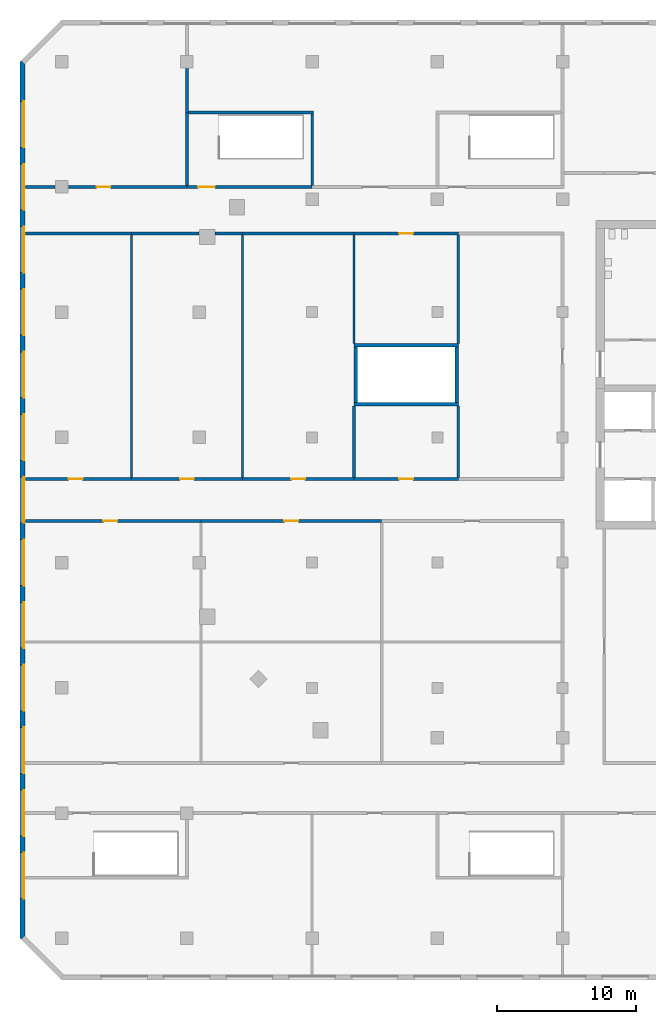
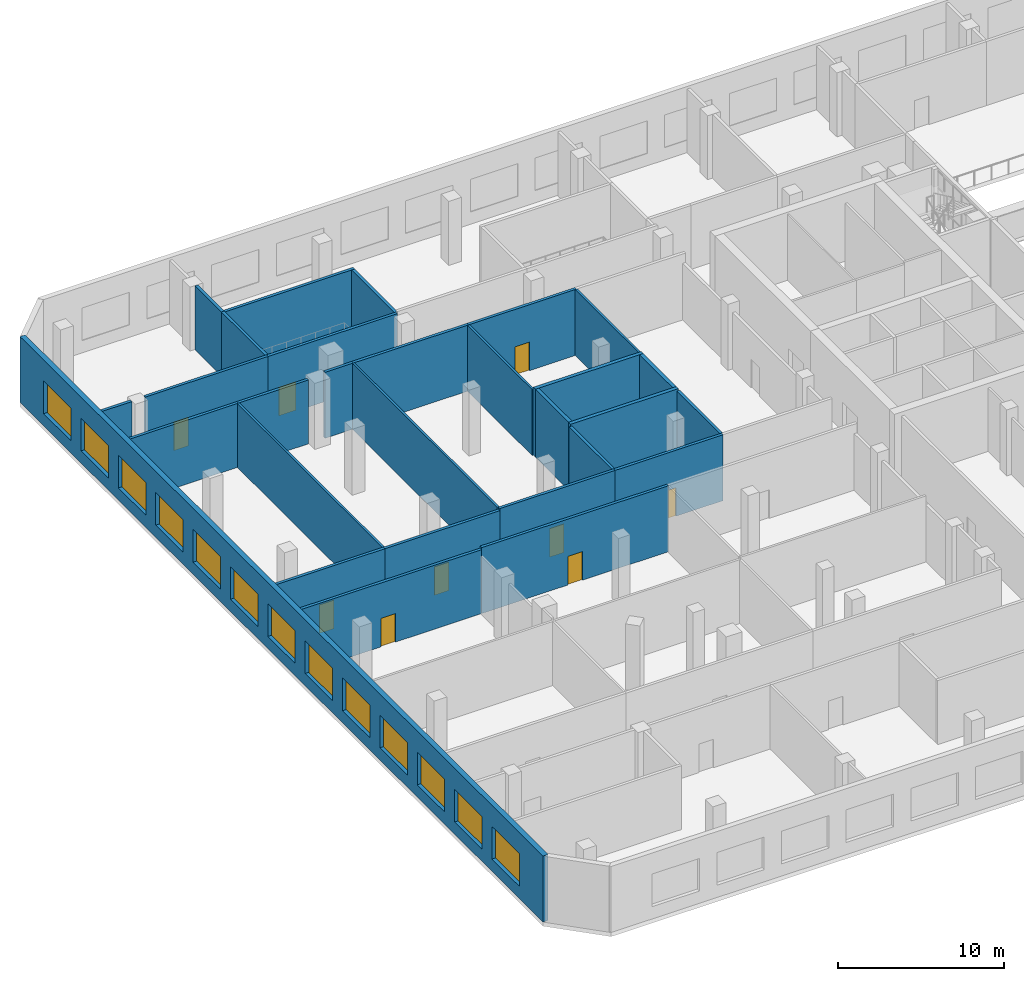
# One storey, part 5 of 20: 29 walls, 13 windows, 9 doors, 22 openings.
"""IFC4 building model written with IfcOpenShell, lengths in metres."""

import ifcopenshell
import ifcopenshell.guid

model = None  # the IFC model being written
_history = None  # IfcOwnerHistory: only IFC2X3 demands one
_inside = {}  # id of a spatial element -> (the spatial element, [elements in it])
_under = {}  # id of a project, library or spatial element -> (it, [spatial elements below it])
_declared = {}  # id of a project -> (the project, [libraries it declares])
_typed = {}  # id of a type object -> (the type object, [elements of that type])
_made_of = {}  # id of a material, layer set ... -> (it, [elements and type objects made of it])


def new_model(schema):
    """Start an empty IFC model of exactly this schema.

    Asked for "IFC4X3", IfcOpenShell would pick the latest addendum, in which some entities
    have other attributes; the version numbers below select the first issue.
    IFC2X3 requires an IfcOwnerHistory on every rooted entity: one is made here for all.
    """
    global model, _history
    if schema == "IFC4X3":
        model = ifcopenshell.file(schema_version=(4, 3, 0, 0))
    else:
        model = ifcopenshell.file(schema=schema)
    _inside.clear()
    _under.clear()
    _declared.clear()
    _typed.clear()
    _made_of.clear()
    _history = None
    if model.schema == "IFC2X3":
        org = make("IfcOrganization", Name="unknown")
        user = make(
            "IfcPersonAndOrganization",
            ThePerson=make("IfcPerson", FamilyName="unknown"),
            TheOrganization=org,
        )
        app = make(
            "IfcApplication",
            ApplicationDeveloper=org,
            Version="unknown",
            ApplicationFullName="unknown",
            ApplicationIdentifier="unknown",
        )
        _history = make(
            "IfcOwnerHistory",
            OwningUser=user,
            OwningApplication=app,
            ChangeAction="ADDED",
            CreationDate=0,
        )
    return model


def make(cls, **values):
    """One entity of the class cls with the attributes given. An attribute that is None is left unset."""
    return model.create_entity(
        cls, **{name: value for name, value in values.items() if value is not None}
    )


def rooted(cls, **values):
    """An entity with a GlobalId (a new one), such as an element, a storey or a relation."""
    return make(cls, GlobalId=ifcopenshell.guid.new(), OwnerHistory=_history, **values)


def si_unit(unit_type, name, prefix=None):
    """IfcSIUnit, for example si_unit("LENGTHUNIT", "METRE", prefix="MILLI")."""
    return make("IfcSIUnit", UnitType=unit_type, Prefix=prefix, Name=name)


def assignment(units):
    """IfcUnitAssignment: the units of a project."""
    return None if units is None else make("IfcUnitAssignment", Units=units)


def point(xyz):
    """IfcCartesianPoint."""
    return None if xyz is None else make("IfcCartesianPoint", Coordinates=xyz)


def direction(xyz):
    """IfcDirection."""
    return None if xyz is None else make("IfcDirection", DirectionRatios=xyz)


def frame(location, z_axis=None, x_axis=None):
    """IfcAxis2Placement3D, a coordinate frame: its origin and axes. An axis left out is left unset."""
    return make(
        "IfcAxis2Placement3D",
        Location=point(location),
        Axis=direction(z_axis),
        RefDirection=direction(x_axis),
    )


def frame_2d(location, x_axis=None):
    """IfcAxis2Placement2D, a coordinate frame in the plane: its origin and x axis."""
    return make(
        "IfcAxis2Placement2D", Location=point(location), RefDirection=direction(x_axis)
    )


def origin():
    """The frame at (0, 0, 0) with its axes left unset."""
    return frame((0.0, 0.0, 0.0))


def place(relative_to, where):
    """IfcLocalPlacement: puts the frame where relative to a parent placement (None: the world)."""
    return make(
        "IfcLocalPlacement", PlacementRelTo=relative_to, RelativePlacement=where
    )


def context(
    kind, dimensions, precision=None, world=None, true_north=None, identifier=None
):
    """IfcGeometricRepresentationContext, for example the 3D "Model" context."""
    return make(
        "IfcGeometricRepresentationContext",
        ContextIdentifier=identifier,
        ContextType=kind,
        CoordinateSpaceDimension=dimensions,
        Precision=precision,
        WorldCoordinateSystem=world,
        TrueNorth=true_north,
    )


def subcontext(parent, identifier, kind, view, scale=None):
    """IfcGeometricRepresentationSubContext, for example "Body" below "Model"."""
    return make(
        "IfcGeometricRepresentationSubContext",
        ContextIdentifier=identifier,
        ContextType=kind,
        ParentContext=parent,
        TargetScale=scale,
        TargetView=view,
    )


def project(units=None, contexts=None):
    """IfcProject with its units and contexts."""
    return rooted(
        "IfcProject",
        Name="project",
        RepresentationContexts=contexts,
        UnitsInContext=assignment(units),
    )


def spatial(cls, under=None, at=None, **own):
    """A site, building, storey or space (cls), placed at a placement, below another one or the project."""
    s = rooted(cls, ObjectPlacement=at, **own)
    if under is not None:
        _under.setdefault(under.id(), (under, []))[1].append(s)
    return s


def profile(cls, at=None, kind="AREA", **sizes):
    """A parametric profile (cls). Its sizes go by their IFC names, for example OverallWidth=200.0."""
    return make(cls, ProfileType=kind, Position=at, **sizes)


def rectangle(**sizes):
    """IfcRectangleProfileDef."""
    return profile("IfcRectangleProfileDef", **sizes)


def extrude(swept, where, along, depth):
    """IfcExtrudedAreaSolid: the profile swept, set in the frame where, extruded along a direction by depth."""
    return make(
        "IfcExtrudedAreaSolid",
        SweptArea=swept,
        Position=where,
        ExtrudedDirection=direction(along),
        Depth=depth,
    )


def shape(context_of_items, identifier, shape_type, items):
    """IfcShapeRepresentation: the items that make up one representation, for example the "Body"."""
    return make(
        "IfcShapeRepresentation",
        ContextOfItems=context_of_items,
        RepresentationIdentifier=identifier,
        RepresentationType=shape_type,
        Items=items,
    )


def material(Name=None, Category=None):
    """IfcMaterial."""
    return make("IfcMaterial", Name=Name, Category=Category)


def layer(
    of_material, thickness, ventilated=None, Name=None, Category=None, Priority=None
):
    """IfcMaterialLayer: one layer of a wall or slab, of a material (None: an air gap)."""
    return make(
        "IfcMaterialLayer",
        Material=of_material,
        LayerThickness=thickness,
        IsVentilated=ventilated,
        Name=Name,
        Category=Category,
        Priority=Priority,
    )


def layer_set(layers, Name=None):
    """IfcMaterialLayerSet."""
    return make("IfcMaterialLayerSet", MaterialLayers=layers, LayerSetName=Name)


def made_of(thing, what):
    """Note that an element or type object is made of a material, layer set ...; save() writes the relation."""
    if what is not None:
        _made_of.setdefault(what.id(), (what, []))[1].append(thing)
    return thing


def type_object(cls, material=None, **own):
    """A type object (cls), such as IfcWallType, which elements share."""
    return made_of(rooted(cls, **own), material)


def element(
    cls,
    number,
    at=None,
    inside=None,
    cuts=None,
    type_object=None,
    material=None,
    context=None,
    identifier="Body",
    shape_type=None,
    held_by="IfcProductDefinitionShape",
    body=None,
    shapes=None,
    **own,
):
    """One element of the class cls, such as IfcWall. Its Tag is "e" and its number.

    at: its placement. inside: the storey or other place that contains it. cuts: it is an
    opening in that element (IfcRelVoidsElement). A single representation is given by context,
    identifier, shape_type and body (its items); several are given by shapes. held_by: the class
    of the entity that holds the representations. save() writes the other relations.
    """
    e = rooted(cls, Tag="e%d" % number, ObjectPlacement=at, **own)
    if body is not None:
        shapes = [shape(context, identifier, shape_type, body)]
    if shapes is not None:
        e.Representation = make(held_by, Representations=shapes)
    if inside is not None:
        _inside.setdefault(inside.id(), (inside, []))[1].append(e)
    if cuts is not None:
        rooted(
            "IfcRelVoidsElement", RelatingBuildingElement=cuts, RelatedOpeningElement=e
        )
    if type_object is not None:
        _typed.setdefault(type_object.id(), (type_object, []))[1].append(e)
    return made_of(e, material)


def fill(opening, filler):
    """IfcRelFillsElement: the door or window that sits in an opening."""
    return rooted(
        "IfcRelFillsElement",
        RelatingOpeningElement=opening,
        RelatedBuildingElement=filler,
    )


def aggregate(whole, parts):
    """IfcRelAggregates: a whole, such as a stair, and the parts it consists of."""
    return rooted("IfcRelAggregates", RelatingObject=whole, RelatedObjects=parts)


def save(model, path):
    """Write the relations noted so far, then the file.

    IfcRelAggregates (storeys below a building ...), IfcRelContainedInSpatialStructure (elements
    in a storey), IfcRelDefinesByType, IfcRelAssociatesMaterial and IfcRelDeclares: one each for
    every whole, place, type object, material and project.
    """
    for whole, parts in _under.values():
        aggregate(whole, parts)
    for where, things in _inside.values():
        rooted(
            "IfcRelContainedInSpatialStructure",
            RelatedElements=things,
            RelatingStructure=where,
        )
    for kind, things in _typed.values():
        rooted("IfcRelDefinesByType", RelatedObjects=things, RelatingType=kind)
    for what, things in _made_of.values():
        rooted("IfcRelAssociatesMaterial", RelatedObjects=things, RelatingMaterial=what)
    for by, libraries in _declared.values():
        rooted("IfcRelDeclares", RelatingContext=by, RelatedDefinitions=libraries)
    model.write(path)


model = new_model("IFC4")

# Units and contexts
model_context = context("Model", 3, precision=1e-05, world=origin(), true_north=direction((0.0, 1.0)))
body_context = subcontext(model_context, "Body", "Model", "MODEL_VIEW")
ifc_project = project(units=[si_unit("LENGTHUNIT", "METRE"), si_unit("AREAUNIT", "SQUARE_METRE"), si_unit("VOLUMEUNIT", "CUBIC_METRE"), si_unit("PLANEANGLEUNIT", "RADIAN"), si_unit("MASSUNIT", "GRAM", prefix="KILO")], contexts=[model_context])

# Site, building, storey
site_placement = place(None, origin())
site = spatial("IfcSite", under=ifc_project, at=site_placement, CompositionType="ELEMENT")
building_placement = place(site_placement, origin())
building = spatial("IfcBuilding", under=site, at=building_placement, Name="Cinnabar Reach Civic Tower", CompositionType="ELEMENT")
storey_placement = place(building_placement, frame((0.0, 0.0, 21.0)))
storey = spatial("IfcBuildingStorey", under=building, at=storey_placement, Name="L04", CompositionType="ELEMENT", Elevation=21.0)

# Wall, openings, windows
ifc_material_1 = material(Name="Facing brick with insulated backing", Category="masonry")
ifc_layer_1 = layer(ifc_material_1, 0.36)
ifc_layer_set_1 = layer_set([ifc_layer_1], Name="Brick pier and spandrel wall")
wall_type_1 = type_object("IfcWallType", Name="Brick pier and spandrel wall", PredefinedType="STANDARD", material=ifc_layer_set_1)
wall_1_placement = place(storey_placement, frame((-83.82, 54.0, 0.0), z_axis=(0.0, 0.0, 1.0), x_axis=(0.0, -1.0, 0.0)))
wall_1 = element("IfcWall", 1, at=wall_1_placement, inside=storey, type_object=wall_type_1, Name="Brick facade wall", PredefinedType="STANDARD", context=body_context, shape_type="SweptSolid", body=[
    extrude(rectangle(XDim=63.0, YDim=0.36, at=frame_2d((31.5, 0.0))), origin(), (0.0, 0.0, 1.0), 4.85),
])
opening_1_placement = place(wall_1_placement, frame((2.85, 0.0, 0.9)))
opening_1 = element("IfcOpeningElement", 2, at=opening_1_placement, cuts=wall_1, Name="Opening W3169", PredefinedType="OPENING", context=body_context, shape_type="SweptSolid", body=[
    extrude(rectangle(XDim=3.3, YDim=2.4, at=frame_2d((1.65, 1.2))), frame((0.0, 0.19, 0.0), z_axis=(0.0, -1.0, 0.0), x_axis=(1.0, 0.0, 0.0)), (0.0, 0.0, 1.0), 0.38),
])
opening_2_placement = place(wall_1_placement, frame((7.35, 0.0, 0.9)))
opening_2 = element("IfcOpeningElement", 3, at=opening_2_placement, cuts=wall_1, Name="Opening W3170", PredefinedType="OPENING", context=body_context, shape_type="SweptSolid", body=[
    extrude(rectangle(XDim=3.3, YDim=2.4, at=frame_2d((1.65, 1.2))), frame((0.0, 0.19, 0.0), z_axis=(0.0, -1.0, 0.0), x_axis=(1.0, 0.0, 0.0)), (0.0, 0.0, 1.0), 0.38),
])
opening_3_placement = place(wall_1_placement, frame((11.85, 0.0, 0.9)))
opening_3 = element("IfcOpeningElement", 4, at=opening_3_placement, cuts=wall_1, Name="Opening W3171", PredefinedType="OPENING", context=body_context, shape_type="SweptSolid", body=[
    extrude(rectangle(XDim=3.3, YDim=2.4, at=frame_2d((1.65, 1.2))), frame((0.0, 0.19, 0.0), z_axis=(0.0, -1.0, 0.0), x_axis=(1.0, 0.0, 0.0)), (0.0, 0.0, 1.0), 0.38),
])
opening_4_placement = place(wall_1_placement, frame((16.35, 0.0, 0.9)))
opening_4 = element("IfcOpeningElement", 5, at=opening_4_placement, cuts=wall_1, Name="Opening W3172", PredefinedType="OPENING", context=body_context, shape_type="SweptSolid", body=[
    extrude(rectangle(XDim=3.3, YDim=2.4, at=frame_2d((1.65, 1.2))), frame((0.0, 0.19, 0.0), z_axis=(0.0, -1.0, 0.0), x_axis=(1.0, 0.0, 0.0)), (0.0, 0.0, 1.0), 0.38),
])
opening_5_placement = place(wall_1_placement, frame((20.85, 0.0, 0.9)))
opening_5 = element("IfcOpeningElement", 6, at=opening_5_placement, cuts=wall_1, Name="Opening W3173", PredefinedType="OPENING", context=body_context, shape_type="SweptSolid", body=[
    extrude(rectangle(XDim=3.3, YDim=2.4, at=frame_2d((1.65, 1.2))), frame((0.0, 0.19, 0.0), z_axis=(0.0, -1.0, 0.0), x_axis=(1.0, 0.0, 0.0)), (0.0, 0.0, 1.0), 0.38),
])
opening_6_placement = place(wall_1_placement, frame((25.35, 0.0, 0.9)))
opening_6 = element("IfcOpeningElement", 7, at=opening_6_placement, cuts=wall_1, Name="Opening W3174", PredefinedType="OPENING", context=body_context, shape_type="SweptSolid", body=[
    extrude(rectangle(XDim=3.3, YDim=2.4, at=frame_2d((1.65, 1.2))), frame((0.0, 0.19, 0.0), z_axis=(0.0, -1.0, 0.0), x_axis=(1.0, 0.0, 0.0)), (0.0, 0.0, 1.0), 0.38),
])
opening_7_placement = place(wall_1_placement, frame((29.85, 0.0, 0.9)))
opening_7 = element("IfcOpeningElement", 8, at=opening_7_placement, cuts=wall_1, Name="Opening W3175", PredefinedType="OPENING", context=body_context, shape_type="SweptSolid", body=[
    extrude(rectangle(XDim=3.3, YDim=2.4, at=frame_2d((1.65, 1.2))), frame((0.0, 0.19, 0.0), z_axis=(0.0, -1.0, 0.0), x_axis=(1.0, 0.0, 0.0)), (0.0, 0.0, 1.0), 0.38),
])
opening_8_placement = place(wall_1_placement, frame((34.35, 0.0, 0.9)))
opening_8 = element("IfcOpeningElement", 9, at=opening_8_placement, cuts=wall_1, Name="Opening W3176", PredefinedType="OPENING", context=body_context, shape_type="SweptSolid", body=[
    extrude(rectangle(XDim=3.3, YDim=2.4, at=frame_2d((1.65, 1.2))), frame((0.0, 0.19, 0.0), z_axis=(0.0, -1.0, 0.0), x_axis=(1.0, 0.0, 0.0)), (0.0, 0.0, 1.0), 0.38),
])
opening_9_placement = place(wall_1_placement, frame((38.85, 0.0, 0.9)))
opening_9 = element("IfcOpeningElement", 10, at=opening_9_placement, cuts=wall_1, Name="Opening W3177", PredefinedType="OPENING", context=body_context, shape_type="SweptSolid", body=[
    extrude(rectangle(XDim=3.3, YDim=2.4, at=frame_2d((1.65, 1.2))), frame((0.0, 0.19, 0.0), z_axis=(0.0, -1.0, 0.0), x_axis=(1.0, 0.0, 0.0)), (0.0, 0.0, 1.0), 0.38),
])
opening_10_placement = place(wall_1_placement, frame((43.35, 0.0, 0.9)))
opening_10 = element("IfcOpeningElement", 11, at=opening_10_placement, cuts=wall_1, Name="Opening W3178", PredefinedType="OPENING", context=body_context, shape_type="SweptSolid", body=[
    extrude(rectangle(XDim=3.3, YDim=2.4, at=frame_2d((1.65, 1.2))), frame((0.0, 0.19, 0.0), z_axis=(0.0, -1.0, 0.0), x_axis=(1.0, 0.0, 0.0)), (0.0, 0.0, 1.0), 0.38),
])
opening_11_placement = place(wall_1_placement, frame((47.85, 0.0, 0.9)))
opening_11 = element("IfcOpeningElement", 12, at=opening_11_placement, cuts=wall_1, Name="Opening W3179", PredefinedType="OPENING", context=body_context, shape_type="SweptSolid", body=[
    extrude(rectangle(XDim=3.3, YDim=2.4, at=frame_2d((1.65, 1.2))), frame((0.0, 0.19, 0.0), z_axis=(0.0, -1.0, 0.0), x_axis=(1.0, 0.0, 0.0)), (0.0, 0.0, 1.0), 0.38),
])
opening_12_placement = place(wall_1_placement, frame((52.35, 0.0, 0.9)))
opening_12 = element("IfcOpeningElement", 13, at=opening_12_placement, cuts=wall_1, Name="Opening W3180", PredefinedType="OPENING", context=body_context, shape_type="SweptSolid", body=[
    extrude(rectangle(XDim=3.3, YDim=2.4, at=frame_2d((1.65, 1.2))), frame((0.0, 0.19, 0.0), z_axis=(0.0, -1.0, 0.0), x_axis=(1.0, 0.0, 0.0)), (0.0, 0.0, 1.0), 0.38),
])
opening_13_placement = place(wall_1_placement, frame((56.85, 0.0, 0.9)))
opening_13 = element("IfcOpeningElement", 14, at=opening_13_placement, cuts=wall_1, Name="Opening W3181", PredefinedType="OPENING", context=body_context, shape_type="SweptSolid", body=[
    extrude(rectangle(XDim=3.3, YDim=2.4, at=frame_2d((1.65, 1.2))), frame((0.0, 0.19, 0.0), z_axis=(0.0, -1.0, 0.0), x_axis=(1.0, 0.0, 0.0)), (0.0, 0.0, 1.0), 0.38),
])
ifc_material_2 = material(Name="Clear double glazing in aluminium frame", Category="aluminium")
window_type = type_object("IfcWindowType", Name="Podium window P", PartitioningType="SINGLE_PANEL", PredefinedType="WINDOW", material=ifc_material_2)
window_1_placement = place(opening_1_placement, origin())
window_1 = element("IfcWindow", 15, at=window_1_placement, inside=storey, type_object=window_type, Name="Window west face", OverallHeight=2.4, OverallWidth=3.3, PartitioningType="SINGLE_PANEL", PredefinedType="WINDOW", context=body_context, shape_type="SweptSolid", body=[
    extrude(rectangle(XDim=3.3, YDim=2.4, at=frame_2d((1.65, 1.2))), frame((0.0, 0.13, 0.0), z_axis=(0.0, -1.0, 0.0), x_axis=(1.0, 0.0, 0.0)), (0.0, 0.0, 1.0), 0.06),
])
fill(opening_1, window_1)
window_2_placement = place(opening_2_placement, origin())
window_2 = element("IfcWindow", 16, at=window_2_placement, inside=storey, type_object=window_type, Name="Window west face", OverallHeight=2.4, OverallWidth=3.3, PartitioningType="SINGLE_PANEL", PredefinedType="WINDOW", context=body_context, shape_type="SweptSolid", body=[
    extrude(rectangle(XDim=3.3, YDim=2.4, at=frame_2d((1.65, 1.2))), frame((0.0, 0.13, 0.0), z_axis=(0.0, -1.0, 0.0), x_axis=(1.0, 0.0, 0.0)), (0.0, 0.0, 1.0), 0.06),
])
fill(opening_2, window_2)
window_3_placement = place(opening_3_placement, origin())
window_3 = element("IfcWindow", 17, at=window_3_placement, inside=storey, type_object=window_type, Name="Window west face", OverallHeight=2.4, OverallWidth=3.3, PartitioningType="SINGLE_PANEL", PredefinedType="WINDOW", context=body_context, shape_type="SweptSolid", body=[
    extrude(rectangle(XDim=3.3, YDim=2.4, at=frame_2d((1.65, 1.2))), frame((0.0, 0.13, 0.0), z_axis=(0.0, -1.0, 0.0), x_axis=(1.0, 0.0, 0.0)), (0.0, 0.0, 1.0), 0.06),
])
fill(opening_3, window_3)
window_4_placement = place(opening_4_placement, origin())
window_4 = element("IfcWindow", 18, at=window_4_placement, inside=storey, type_object=window_type, Name="Window west face", OverallHeight=2.4, OverallWidth=3.3, PartitioningType="SINGLE_PANEL", PredefinedType="WINDOW", context=body_context, shape_type="SweptSolid", body=[
    extrude(rectangle(XDim=3.3, YDim=2.4, at=frame_2d((1.65, 1.2))), frame((0.0, 0.13, 0.0), z_axis=(0.0, -1.0, 0.0), x_axis=(1.0, 0.0, 0.0)), (0.0, 0.0, 1.0), 0.06),
])
fill(opening_4, window_4)
window_5_placement = place(opening_5_placement, origin())
window_5 = element("IfcWindow", 19, at=window_5_placement, inside=storey, type_object=window_type, Name="Window west face", OverallHeight=2.4, OverallWidth=3.3, PartitioningType="SINGLE_PANEL", PredefinedType="WINDOW", context=body_context, shape_type="SweptSolid", body=[
    extrude(rectangle(XDim=3.3, YDim=2.4, at=frame_2d((1.65, 1.2))), frame((0.0, 0.13, 0.0), z_axis=(0.0, -1.0, 0.0), x_axis=(1.0, 0.0, 0.0)), (0.0, 0.0, 1.0), 0.06),
])
fill(opening_5, window_5)
window_6_placement = place(opening_6_placement, origin())
window_6 = element("IfcWindow", 20, at=window_6_placement, inside=storey, type_object=window_type, Name="Window west face", OverallHeight=2.4, OverallWidth=3.3, PartitioningType="SINGLE_PANEL", PredefinedType="WINDOW", context=body_context, shape_type="SweptSolid", body=[
    extrude(rectangle(XDim=3.3, YDim=2.4, at=frame_2d((1.65, 1.2))), frame((0.0, 0.13, 0.0), z_axis=(0.0, -1.0, 0.0), x_axis=(1.0, 0.0, 0.0)), (0.0, 0.0, 1.0), 0.06),
])
fill(opening_6, window_6)
window_7_placement = place(opening_7_placement, origin())
window_7 = element("IfcWindow", 21, at=window_7_placement, inside=storey, type_object=window_type, Name="Window west face", OverallHeight=2.4, OverallWidth=3.3, PartitioningType="SINGLE_PANEL", PredefinedType="WINDOW", context=body_context, shape_type="SweptSolid", body=[
    extrude(rectangle(XDim=3.3, YDim=2.4, at=frame_2d((1.65, 1.2))), frame((0.0, 0.13, 0.0), z_axis=(0.0, -1.0, 0.0), x_axis=(1.0, 0.0, 0.0)), (0.0, 0.0, 1.0), 0.06),
])
fill(opening_7, window_7)
window_8_placement = place(opening_8_placement, origin())
window_8 = element("IfcWindow", 22, at=window_8_placement, inside=storey, type_object=window_type, Name="Window west face", OverallHeight=2.4, OverallWidth=3.3, PartitioningType="SINGLE_PANEL", PredefinedType="WINDOW", context=body_context, shape_type="SweptSolid", body=[
    extrude(rectangle(XDim=3.3, YDim=2.4, at=frame_2d((1.65, 1.2))), frame((0.0, 0.13, 0.0), z_axis=(0.0, -1.0, 0.0), x_axis=(1.0, 0.0, 0.0)), (0.0, 0.0, 1.0), 0.06),
])
fill(opening_8, window_8)
window_9_placement = place(opening_9_placement, origin())
window_9 = element("IfcWindow", 23, at=window_9_placement, inside=storey, type_object=window_type, Name="Window west face", OverallHeight=2.4, OverallWidth=3.3, PartitioningType="SINGLE_PANEL", PredefinedType="WINDOW", context=body_context, shape_type="SweptSolid", body=[
    extrude(rectangle(XDim=3.3, YDim=2.4, at=frame_2d((1.65, 1.2))), frame((0.0, 0.13, 0.0), z_axis=(0.0, -1.0, 0.0), x_axis=(1.0, 0.0, 0.0)), (0.0, 0.0, 1.0), 0.06),
])
fill(opening_9, window_9)
window_10_placement = place(opening_10_placement, origin())
window_10 = element("IfcWindow", 24, at=window_10_placement, inside=storey, type_object=window_type, Name="Window west face", OverallHeight=2.4, OverallWidth=3.3, PartitioningType="SINGLE_PANEL", PredefinedType="WINDOW", context=body_context, shape_type="SweptSolid", body=[
    extrude(rectangle(XDim=3.3, YDim=2.4, at=frame_2d((1.65, 1.2))), frame((0.0, 0.13, 0.0), z_axis=(0.0, -1.0, 0.0), x_axis=(1.0, 0.0, 0.0)), (0.0, 0.0, 1.0), 0.06),
])
fill(opening_10, window_10)
window_11_placement = place(opening_11_placement, origin())
window_11 = element("IfcWindow", 25, at=window_11_placement, inside=storey, type_object=window_type, Name="Window west face", OverallHeight=2.4, OverallWidth=3.3, PartitioningType="SINGLE_PANEL", PredefinedType="WINDOW", context=body_context, shape_type="SweptSolid", body=[
    extrude(rectangle(XDim=3.3, YDim=2.4, at=frame_2d((1.65, 1.2))), frame((0.0, 0.13, 0.0), z_axis=(0.0, -1.0, 0.0), x_axis=(1.0, 0.0, 0.0)), (0.0, 0.0, 1.0), 0.06),
])
fill(opening_11, window_11)
window_12_placement = place(opening_12_placement, origin())
window_12 = element("IfcWindow", 26, at=window_12_placement, inside=storey, type_object=window_type, Name="Window west face", OverallHeight=2.4, OverallWidth=3.3, PartitioningType="SINGLE_PANEL", PredefinedType="WINDOW", context=body_context, shape_type="SweptSolid", body=[
    extrude(rectangle(XDim=3.3, YDim=2.4, at=frame_2d((1.65, 1.2))), frame((0.0, 0.13, 0.0), z_axis=(0.0, -1.0, 0.0), x_axis=(1.0, 0.0, 0.0)), (0.0, 0.0, 1.0), 0.06),
])
fill(opening_12, window_12)
window_13_placement = place(opening_13_placement, origin())
window_13 = element("IfcWindow", 27, at=window_13_placement, inside=storey, type_object=window_type, Name="Window west face", OverallHeight=2.4, OverallWidth=3.3, PartitioningType="SINGLE_PANEL", PredefinedType="WINDOW", context=body_context, shape_type="SweptSolid", body=[
    extrude(rectangle(XDim=3.3, YDim=2.4, at=frame_2d((1.65, 1.2))), frame((0.0, 0.13, 0.0), z_axis=(0.0, -1.0, 0.0), x_axis=(1.0, 0.0, 0.0)), (0.0, 0.0, 1.0), 0.06),
])
fill(opening_13, window_13)

# Wall, opening, door
ifc_material_3 = material(Name="Concrete blockwork", Category="masonry")
ifc_layer_2 = layer(ifc_material_3, 0.2)
ifc_layer_set_2 = layer_set([ifc_layer_2], Name="Podium masonry corridor wall 200 EI 120")
wall_type_2 = type_object("IfcWallType", Name="Podium masonry corridor wall 200 EI 120", PredefinedType="PARTITIONING", material=ifc_layer_set_2)
wall_2_placement = place(storey_placement, frame((-60.0, 24.0, 0.0), z_axis=(0.0, 0.0, 1.0), x_axis=(1.0, 0.0, 0.0)))
wall_2 = element("IfcWall", 28, at=wall_2_placement, inside=storey, type_object=wall_type_2, Name="Wall L04 72", PredefinedType="PARTITIONING", context=body_context, shape_type="SweptSolid", body=[
    extrude(rectangle(XDim=7.5, YDim=0.2, at=frame_2d((3.75, 0.0))), origin(), (0.0, 0.0, 1.0), 4.85),
])
opening_14_placement = place(wall_2_placement, frame((3.25, 0.0, 0.0)))
opening_14 = element("IfcOpeningElement", 29, at=opening_14_placement, cuts=wall_2, Name="Opening D1244", PredefinedType="OPENING", context=body_context, shape_type="SweptSolid", body=[
    extrude(rectangle(XDim=1.0, YDim=2.1, at=frame_2d((0.5, 1.05))), frame((0.0, 0.11, 0.0), z_axis=(0.0, -1.0, 0.0), x_axis=(1.0, 0.0, 0.0)), (0.0, 0.0, 1.0), 0.22),
])
ifc_material_4 = material(Name="Painted steel door leaf", Category="steel")
door_type_1 = type_object("IfcDoorType", Name="Podium single door 1000x2100", OperationType="SINGLE_SWING_LEFT", PredefinedType="DOOR", material=ifc_material_4)
door_1_placement = place(opening_14_placement, origin())
door_1 = element("IfcDoor", 30, at=door_1_placement, inside=storey, type_object=door_type_1, Name="Door D1244", OperationType="SINGLE_SWING_RIGHT", OverallHeight=2.1, OverallWidth=1.0, PredefinedType="DOOR", context=body_context, shape_type="SweptSolid", body=[
    extrude(rectangle(XDim=1.0, YDim=2.1, at=frame_2d((0.5, 1.05))), frame((0.0, 0.025, 0.0), z_axis=(0.0, -1.0, 0.0), x_axis=(1.0, 0.0, 0.0)), (0.0, 0.0, 1.0), 0.05),
])
fill(opening_14, door_1)

wall_3_placement = place(storey_placement, frame((-83.6, 21.0, 0.0), z_axis=(0.0, 0.0, 1.0), x_axis=(1.0, 0.0, 0.0)))
wall_3 = element("IfcWall", 31, at=wall_3_placement, inside=storey, type_object=wall_type_2, Name="Wall L04 74", PredefinedType="PARTITIONING", context=body_context, shape_type="SweptSolid", body=[
    extrude(rectangle(XDim=12.6, YDim=0.2, at=frame_2d((6.3, 0.0))), origin(), (0.0, 0.0, 1.0), 4.7),
])
opening_15_placement = place(wall_3_placement, frame((5.6, 0.0, 0.0)))
opening_15 = element("IfcOpeningElement", 32, at=opening_15_placement, cuts=wall_3, Name="Opening D1259", PredefinedType="OPENING", context=body_context, shape_type="SweptSolid", body=[
    extrude(rectangle(XDim=1.0, YDim=2.1, at=frame_2d((0.5, 1.05))), frame((0.0, 0.11, 0.0), z_axis=(0.0, -1.0, 0.0), x_axis=(1.0, 0.0, 0.0)), (0.0, 0.0, 1.0), 0.22),
])
door_2_placement = place(opening_15_placement, frame((1.0, 0.0, 0.0), z_axis=(0.0, 0.0, 1.0), x_axis=(-1.0, 0.0, 0.0)))
door_2 = element("IfcDoor", 33, at=door_2_placement, inside=storey, type_object=door_type_1, Name="Door D1259", OperationType="SINGLE_SWING_RIGHT", OverallHeight=2.1, OverallWidth=1.0, PredefinedType="DOOR", context=body_context, shape_type="SweptSolid", body=[
    extrude(rectangle(XDim=1.0, YDim=2.1, at=frame_2d((0.5, 1.05))), frame((0.0, 0.025, 0.0), z_axis=(0.0, -1.0, 0.0), x_axis=(1.0, 0.0, 0.0)), (0.0, 0.0, 1.0), 0.05),
])
fill(opening_15, door_2)

wall_4_placement = place(storey_placement, frame((-71.0, 21.0, 0.0), z_axis=(0.0, 0.0, 1.0), x_axis=(1.0, 0.0, 0.0)))
wall_4 = element("IfcWall", 34, at=wall_4_placement, inside=storey, type_object=wall_type_2, Name="Wall L04 75", PredefinedType="PARTITIONING", context=body_context, shape_type="SweptSolid", body=[
    extrude(rectangle(XDim=13.0, YDim=0.2, at=frame_2d((6.5, 0.0))), origin(), (0.0, 0.0, 1.0), 4.85),
])
opening_16_placement = place(wall_4_placement, frame((6.0, 0.0, 0.0)))
opening_16 = element("IfcOpeningElement", 35, at=opening_16_placement, cuts=wall_4, Name="Opening D1260", PredefinedType="OPENING", context=body_context, shape_type="SweptSolid", body=[
    extrude(rectangle(XDim=1.0, YDim=2.1, at=frame_2d((0.5, 1.05))), frame((0.0, 0.11, 0.0), z_axis=(0.0, -1.0, 0.0), x_axis=(1.0, 0.0, 0.0)), (0.0, 0.0, 1.0), 0.22),
])
door_3_placement = place(opening_16_placement, frame((1.0, 0.0, 0.0), z_axis=(0.0, 0.0, 1.0), x_axis=(-1.0, 0.0, 0.0)))
door_3 = element("IfcDoor", 36, at=door_3_placement, inside=storey, type_object=door_type_1, Name="Door D1260", OperationType="SINGLE_SWING_LEFT", OverallHeight=2.1, OverallWidth=1.0, PredefinedType="DOOR", context=body_context, shape_type="SweptSolid", body=[
    extrude(rectangle(XDim=1.0, YDim=2.1, at=frame_2d((0.5, 1.05))), frame((0.0, 0.025, 0.0), z_axis=(0.0, -1.0, 0.0), x_axis=(1.0, 0.0, 0.0)), (0.0, 0.0, 1.0), 0.05),
])
fill(opening_16, door_3)

wall_5_placement = place(storey_placement, frame((-83.6, 24.0, 0.0), z_axis=(0.0, 0.0, 1.0), x_axis=(1.0, 0.0, 0.0)))
wall_5 = element("IfcWall", 37, at=wall_5_placement, inside=storey, type_object=wall_type_2, Name="Wall L04 77", PredefinedType="PARTITIONING", context=body_context, shape_type="SweptSolid", body=[
    extrude(rectangle(XDim=7.6, YDim=0.2, at=frame_2d((3.8, 0.0))), origin(), (0.0, 0.0, 1.0), 4.7),
])
opening_17_placement = place(wall_5_placement, frame((3.1, 0.0, 0.0)))
opening_17 = element("IfcOpeningElement", 38, at=opening_17_placement, cuts=wall_5, Name="Opening D1266", PredefinedType="OPENING", context=body_context, shape_type="SweptSolid", body=[
    extrude(rectangle(XDim=1.0, YDim=2.1, at=frame_2d((0.5, 1.05))), frame((0.0, 0.11, 0.0), z_axis=(0.0, -1.0, 0.0), x_axis=(1.0, 0.0, 0.0)), (0.0, 0.0, 1.0), 0.22),
])
door_4_placement = place(opening_17_placement, origin())
door_4 = element("IfcDoor", 39, at=door_4_placement, inside=storey, type_object=door_type_1, Name="Door D1266", OperationType="SINGLE_SWING_RIGHT", OverallHeight=2.1, OverallWidth=1.0, PredefinedType="DOOR", context=body_context, shape_type="SweptSolid", body=[
    extrude(rectangle(XDim=1.0, YDim=2.1, at=frame_2d((0.5, 1.05))), frame((0.0, 0.025, 0.0), z_axis=(0.0, -1.0, 0.0), x_axis=(1.0, 0.0, 0.0)), (0.0, 0.0, 1.0), 0.05),
])
fill(opening_17, door_4)

wall_6_placement = place(storey_placement, frame((-76.0, 24.0, 0.0), z_axis=(0.0, 0.0, 1.0), x_axis=(1.0, 0.0, 0.0)))
wall_6 = element("IfcWall", 40, at=wall_6_placement, inside=storey, type_object=wall_type_2, Name="Wall L04 78", PredefinedType="PARTITIONING", context=body_context, shape_type="SweptSolid", body=[
    extrude(rectangle(XDim=8.0, YDim=0.2, at=frame_2d((4.0, 0.0))), origin(), (0.0, 0.0, 1.0), 4.7),
])
opening_18_placement = place(wall_6_placement, frame((3.5, 0.0, 0.0)))
opening_18 = element("IfcOpeningElement", 41, at=opening_18_placement, cuts=wall_6, Name="Opening D1267", PredefinedType="OPENING", context=body_context, shape_type="SweptSolid", body=[
    extrude(rectangle(XDim=1.0, YDim=2.1, at=frame_2d((0.5, 1.05))), frame((0.0, 0.11, 0.0), z_axis=(0.0, -1.0, 0.0), x_axis=(1.0, 0.0, 0.0)), (0.0, 0.0, 1.0), 0.22),
])
door_5_placement = place(opening_18_placement, origin())
door_5 = element("IfcDoor", 42, at=door_5_placement, inside=storey, type_object=door_type_1, Name="Door D1267", OperationType="SINGLE_SWING_RIGHT", OverallHeight=2.1, OverallWidth=1.0, PredefinedType="DOOR", context=body_context, shape_type="SweptSolid", body=[
    extrude(rectangle(XDim=1.0, YDim=2.1, at=frame_2d((0.5, 1.05))), frame((0.0, 0.025, 0.0), z_axis=(0.0, -1.0, 0.0), x_axis=(1.0, 0.0, 0.0)), (0.0, 0.0, 1.0), 0.05),
])
fill(opening_18, door_5)

wall_7_placement = place(storey_placement, frame((-68.0, 24.0, 0.0), z_axis=(0.0, 0.0, 1.0), x_axis=(1.0, 0.0, 0.0)))
wall_7 = element("IfcWall", 43, at=wall_7_placement, inside=storey, type_object=wall_type_2, Name="Wall L04 79", PredefinedType="PARTITIONING", context=body_context, shape_type="SweptSolid", body=[
    extrude(rectangle(XDim=8.0, YDim=0.2, at=frame_2d((4.0, 0.0))), origin(), (0.0, 0.0, 1.0), 4.85),
])
opening_19_placement = place(wall_7_placement, frame((3.5, 0.0, 0.0)))
opening_19 = element("IfcOpeningElement", 44, at=opening_19_placement, cuts=wall_7, Name="Opening D1268", PredefinedType="OPENING", context=body_context, shape_type="SweptSolid", body=[
    extrude(rectangle(XDim=1.0, YDim=2.1, at=frame_2d((0.5, 1.05))), frame((0.0, 0.11, 0.0), z_axis=(0.0, -1.0, 0.0), x_axis=(1.0, 0.0, 0.0)), (0.0, 0.0, 1.0), 0.22),
])
door_6_placement = place(opening_19_placement, origin())
door_6 = element("IfcDoor", 45, at=door_6_placement, inside=storey, type_object=door_type_1, Name="Door D1268", OperationType="SINGLE_SWING_RIGHT", OverallHeight=2.1, OverallWidth=1.0, PredefinedType="DOOR", context=body_context, shape_type="SweptSolid", body=[
    extrude(rectangle(XDim=1.0, YDim=2.1, at=frame_2d((0.5, 1.05))), frame((0.0, 0.025, 0.0), z_axis=(0.0, -1.0, 0.0), x_axis=(1.0, 0.0, 0.0)), (0.0, 0.0, 1.0), 0.05),
])
fill(opening_19, door_6)

wall_8_placement = place(storey_placement, frame((-60.0, 41.65, 0.0), z_axis=(0.0, 0.0, 1.0), x_axis=(1.0, 0.0, 0.0)))
wall_8 = element("IfcWall", 46, at=wall_8_placement, inside=storey, type_object=wall_type_2, Name="Wall L04 80", PredefinedType="PARTITIONING", context=body_context, shape_type="SweptSolid", body=[
    extrude(rectangle(XDim=7.5, YDim=0.2, at=frame_2d((3.75, 0.0))), origin(), (0.0, 0.0, 1.0), 4.85),
])
opening_20_placement = place(wall_8_placement, frame((3.25, 0.0, 0.0)))
opening_20 = element("IfcOpeningElement", 47, at=opening_20_placement, cuts=wall_8, Name="Opening D1245", PredefinedType="OPENING", context=body_context, shape_type="SweptSolid", body=[
    extrude(rectangle(XDim=1.0, YDim=2.1, at=frame_2d((0.5, 1.05))), frame((0.0, 0.11, 0.0), z_axis=(0.0, -1.0, 0.0), x_axis=(1.0, 0.0, 0.0)), (0.0, 0.0, 1.0), 0.22),
])
door_7_placement = place(opening_20_placement, frame((1.0, 0.0, 0.0), z_axis=(0.0, 0.0, 1.0), x_axis=(-1.0, 0.0, 0.0)))
door_7 = element("IfcDoor", 48, at=door_7_placement, inside=storey, type_object=door_type_1, Name="Door D1245", OperationType="SINGLE_SWING_LEFT", OverallHeight=2.1, OverallWidth=1.0, PredefinedType="DOOR", context=body_context, shape_type="SweptSolid", body=[
    extrude(rectangle(XDim=1.0, YDim=2.1, at=frame_2d((0.5, 1.05))), frame((0.0, 0.025, 0.0), z_axis=(0.0, -1.0, 0.0), x_axis=(1.0, 0.0, 0.0)), (0.0, 0.0, 1.0), 0.05),
])
fill(opening_20, door_7)

# Wall
wall_9_placement = place(storey_placement, frame((-83.6, 45.0, 0.0), z_axis=(0.0, 0.0, 1.0), x_axis=(1.0, 0.0, 0.0)))
element("IfcWall", 49, at=wall_9_placement, inside=storey, type_object=wall_type_2, Name="Wall L04 82", PredefinedType="PARTITIONING", context=body_context, shape_type="SweptSolid", body=[
    extrude(rectangle(XDim=2.13, YDim=0.2, at=frame_2d((1.065, 0.0))), origin(), (0.0, 0.0, 1.0), 4.7),
])

# Wall, opening, door
wall_10_placement = place(storey_placement, frame((-80.53, 45.0, 0.0), z_axis=(0.0, 0.0, 1.0), x_axis=(1.0, 0.0, 0.0)))
wall_10 = element("IfcWall", 50, at=wall_10_placement, inside=storey, type_object=wall_type_2, Name="Wall L04 83", PredefinedType="PARTITIONING", context=body_context, shape_type="SweptSolid", body=[
    extrude(rectangle(XDim=8.53, YDim=0.2, at=frame_2d((4.265, 0.0))), origin(), (0.0, 0.0, 1.0), 4.7),
])
opening_21_placement = place(wall_10_placement, frame((2.03, 0.0, 0.0)))
opening_21 = element("IfcOpeningElement", 51, at=opening_21_placement, cuts=wall_10, Name="Opening D1250", PredefinedType="OPENING", context=body_context, shape_type="SweptSolid", body=[
    extrude(rectangle(XDim=1.0, YDim=2.1, at=frame_2d((0.5, 1.05))), frame((0.0, 0.11, 0.0), z_axis=(0.0, -1.0, 0.0), x_axis=(1.0, 0.0, 0.0)), (0.0, 0.0, 1.0), 0.22),
])
door_8_placement = place(opening_21_placement, origin())
door_8 = element("IfcDoor", 52, at=door_8_placement, inside=storey, type_object=door_type_1, Name="Door D1250", OperationType="SINGLE_SWING_LEFT", OverallHeight=2.1, OverallWidth=1.0, PredefinedType="DOOR", context=body_context, shape_type="SweptSolid", body=[
    extrude(rectangle(XDim=1.0, YDim=2.1, at=frame_2d((0.5, 1.05))), frame((0.0, 0.025, 0.0), z_axis=(0.0, -1.0, 0.0), x_axis=(1.0, 0.0, 0.0)), (0.0, 0.0, 1.0), 0.05),
])
fill(opening_21, door_8)

# Walls
wall_11_placement = place(storey_placement, frame((-83.6, 41.65, 0.0), z_axis=(0.0, 0.0, 1.0), x_axis=(1.0, 0.0, 0.0)))
element("IfcWall", 53, at=wall_11_placement, inside=storey, type_object=wall_type_2, Name="Wall L04 86", PredefinedType="PARTITIONING", context=body_context, shape_type="SweptSolid", body=[
    extrude(rectangle(XDim=7.6, YDim=0.2, at=frame_2d((3.8, 0.0))), origin(), (0.0, 0.0, 1.0), 4.7),
])
wall_12_placement = place(storey_placement, frame((-76.0, 41.65, 0.0), z_axis=(0.0, 0.0, 1.0), x_axis=(1.0, 0.0, 0.0)))
element("IfcWall", 54, at=wall_12_placement, inside=storey, type_object=wall_type_2, Name="Wall L04 87", PredefinedType="PARTITIONING", context=body_context, shape_type="SweptSolid", body=[
    extrude(rectangle(XDim=4.8831, YDim=0.2, at=frame_2d((2.4415, 0.0))), origin(), (0.0, 0.0, 1.0), 4.7),
])
wall_13_placement = place(storey_placement, frame((-69.9769, 41.65, 0.0), z_axis=(0.0, 0.0, 1.0), x_axis=(1.0, 0.0, 0.0)))
element("IfcWall", 55, at=wall_13_placement, inside=storey, type_object=wall_type_2, Name="Wall L04 88", PredefinedType="PARTITIONING", context=body_context, shape_type="SweptSolid", body=[
    extrude(rectangle(XDim=1.9769, YDim=0.2, at=frame_2d((0.9885, 0.0))), origin(), (0.0, 0.0, 1.0), 4.85),
])
wall_14_placement = place(storey_placement, frame((-68.0, 41.65, 0.0), z_axis=(0.0, 0.0, 1.0), x_axis=(1.0, 0.0, 0.0)))
element("IfcWall", 56, at=wall_14_placement, inside=storey, type_object=wall_type_2, Name="Wall L04 89", PredefinedType="PARTITIONING", context=body_context, shape_type="SweptSolid", body=[
    extrude(rectangle(XDim=8.0, YDim=0.2, at=frame_2d((4.0, 0.0))), origin(), (0.0, 0.0, 1.0), 4.85),
])
for number, where, z_axis, x_axis, name in (
    (57, (-52.5, 24.1, 0.0), (0.0, 0.0, 1.0), (0.0, 1.0, 0.0), "Wall L04 182"),
    (58, (-60.0, 24.1, 0.0), (0.0, 0.0, 1.0), (0.0, 1.0, 0.0), "Wall L04 183"),
):
    element("IfcWall", number, at=place(storey_placement, frame(where, z_axis=z_axis, x_axis=x_axis)), inside=storey, type_object=wall_type_2, Name=name, PredefinedType="PARTITIONING", context=body_context, shape_type="SweptSolid", body=[
        extrude(rectangle(XDim=5.15, YDim=0.2, at=frame_2d((2.575, 0.0))), origin(), (0.0, 0.0, 1.0), 4.85),
    ])
wall_15_placement = place(storey_placement, frame((-72.0, 50.35, 0.0), z_axis=(0.0, 0.0, 1.0), x_axis=(0.0, 1.0, 0.0)))
element("IfcWall", 59, at=wall_15_placement, inside=storey, type_object=wall_type_2, Name="Wall L04 190", PredefinedType="PARTITIONING", context=body_context, shape_type="SweptSolid", body=[
    extrude(rectangle(XDim=3.18, YDim=0.2, at=frame_2d((1.59, 0.0))), origin(), (0.0, 0.0, 1.0), 4.7),
])
ifc_material_5 = material(Name="Gypsum board on steel studs", Category="steel")
ifc_layer_3 = layer(ifc_material_5, 0.15)
ifc_layer_set_3 = layer_set([ifc_layer_3], Name="Podium partition wall 150 EI 90")
wall_type_3 = type_object("IfcWallType", Name="Podium partition wall 150 EI 90", PredefinedType="PARTITIONING", material=ifc_layer_set_3)
for number, where, z_axis, x_axis, name in (
    (60, (-52.5, 33.75, 0.0), (0.0, 0.0, 1.0), (0.0, 1.0, 0.0), "Wall L04 184"),
    (61, (-60.0, 33.75, 0.0), (0.0, 0.0, 1.0), (0.0, 1.0, 0.0), "Wall L04 185"),
):
    element("IfcWall", number, at=place(storey_placement, frame(where, z_axis=z_axis, x_axis=x_axis)), inside=storey, type_object=wall_type_3, Name=name, PredefinedType="PARTITIONING", context=body_context, shape_type="SweptSolid", body=[
        extrude(rectangle(XDim=7.8, YDim=0.15, at=frame_2d((3.9, 0.0))), origin(), (0.0, 0.0, 1.0), 4.85),
    ])
wall_16_placement = place(storey_placement, frame((-76.0, 24.1, 0.0), z_axis=(0.0, 0.0, 1.0), x_axis=(0.0, 1.0, 0.0)))
element("IfcWall", 62, at=wall_16_placement, inside=storey, type_object=wall_type_3, Name="Wall L04 213", PredefinedType="PARTITIONING", context=body_context, shape_type="SweptSolid", body=[
    extrude(rectangle(XDim=17.45, YDim=0.15, at=frame_2d((8.725, 0.0))), origin(), (0.0, 0.0, 1.0), 4.7),
])
wall_17_placement = place(storey_placement, frame((-68.0, 24.1, 0.0), z_axis=(0.0, 0.0, 1.0), x_axis=(0.0, 1.0, 0.0)))
element("IfcWall", 63, at=wall_17_placement, inside=storey, type_object=wall_type_3, Name="Wall L04 214", PredefinedType="PARTITIONING", context=body_context, shape_type="SweptSolid", body=[
    extrude(rectangle(XDim=17.45, YDim=0.15, at=frame_2d((8.725, 0.0))), origin(), (0.0, 0.0, 1.0), 4.85),
])

# Wall, opening, door
ifc_material_6 = material(Name="Concrete C40", Category="concrete")
ifc_layer_4 = layer(ifc_material_6, 0.2)
ifc_layer_set_4 = layer_set([ifc_layer_4], Name="Podium stair shaft wall 200 EI 120")
wall_type_4 = type_object("IfcWallType", Name="Podium stair shaft wall 200 EI 120", PredefinedType="SOLIDWALL", material=ifc_layer_set_4)
wall_18_placement = place(storey_placement, frame((-72.0, 45.0, 0.0), z_axis=(0.0, 0.0, 1.0), x_axis=(1.0, 0.0, 0.0)))
wall_18 = element("IfcWall", 64, at=wall_18_placement, inside=storey, type_object=wall_type_4, Name="Wall L04 5", PredefinedType="SOLIDWALL", context=body_context, shape_type="SweptSolid", body=[
    extrude(rectangle(XDim=9.0, YDim=0.2, at=frame_2d((4.5, 0.0))), origin(), (0.0, 0.0, 1.0), 4.7),
])
opening_22_placement = place(wall_18_placement, frame((0.8, 0.0, 0.0)))
opening_22 = element("IfcOpeningElement", 65, at=opening_22_placement, cuts=wall_18, Name="Opening D1276", PredefinedType="OPENING", context=body_context, shape_type="SweptSolid", body=[
    extrude(rectangle(XDim=1.2, YDim=2.1, at=frame_2d((0.6, 1.05))), frame((0.0, 0.11, 0.0), z_axis=(0.0, -1.0, 0.0), x_axis=(1.0, 0.0, 0.0)), (0.0, 0.0, 1.0), 0.22),
])
door_type_2 = type_object("IfcDoorType", Name="Podium single door 1200x2100", OperationType="SINGLE_SWING_LEFT", PredefinedType="DOOR", material=ifc_material_4)
door_9_placement = place(opening_22_placement, origin())
door_9 = element("IfcDoor", 66, at=door_9_placement, inside=storey, type_object=door_type_2, Name="Door D1276", OperationType="SINGLE_SWING_RIGHT", OverallHeight=2.1, OverallWidth=1.2, PredefinedType="DOOR", context=body_context, shape_type="SweptSolid", body=[
    extrude(rectangle(XDim=1.2, YDim=2.1, at=frame_2d((0.6, 1.05))), frame((0.0, 0.025, 0.0), z_axis=(0.0, -1.0, 0.0), x_axis=(1.0, 0.0, 0.0)), (0.0, 0.0, 1.0), 0.05),
])
fill(opening_22, door_9)

# Walls
wall_19_placement = place(storey_placement, frame((-72.0, 45.1, 0.0), z_axis=(0.0, 0.0, 1.0), x_axis=(0.0, 1.0, 0.0)))
element("IfcWall", 67, at=wall_19_placement, inside=storey, type_object=wall_type_4, Name="Wall L04 6", PredefinedType="SOLIDWALL", context=body_context, shape_type="SweptSolid", body=[
    extrude(rectangle(XDim=5.25, YDim=0.2, at=frame_2d((2.625, 0.0))), origin(), (0.0, 0.0, 1.0), 4.7),
])
wall_20_placement = place(storey_placement, frame((-71.9, 50.35, 0.0), z_axis=(0.0, 0.0, 1.0), x_axis=(1.0, 0.0, 0.0)))
element("IfcWall", 68, at=wall_20_placement, inside=storey, type_object=wall_type_4, Name="Wall L04 7", PredefinedType="SOLIDWALL", context=body_context, shape_type="SweptSolid", body=[
    extrude(rectangle(XDim=9.0, YDim=0.2, at=frame_2d((4.5, 0.0))), origin(), (0.0, 0.0, 1.0), 4.7),
])
wall_21_placement = place(storey_placement, frame((-63.0, 45.1, 0.0), z_axis=(0.0, 0.0, 1.0), x_axis=(0.0, 1.0, 0.0)))
element("IfcWall", 69, at=wall_21_placement, inside=storey, type_object=wall_type_4, Name="Wall L04 8", PredefinedType="SOLIDWALL", context=body_context, shape_type="SweptSolid", body=[
    extrude(rectangle(XDim=5.15, YDim=0.2, at=frame_2d((2.575, 0.0))), origin(), (0.0, 0.0, 1.0), 4.7),
])
ifc_material_7 = material(Name="Concrete C60", Category="concrete")
ifc_layer_5 = layer(ifc_material_7, 0.25)
ifc_layer_set_5 = layer_set([ifc_layer_5], Name="Stair shaft wall 250 EI 120")
wall_type_5 = type_object("IfcWallType", Name="Stair shaft wall 250 EI 120", PredefinedType="SOLIDWALL", material=ifc_layer_set_5)
for number, where, z_axis, x_axis, name in (
    (70, (-60.0, 29.375, 0.0), (0.0, 0.0, 1.0), (1.0, 0.0, 0.0), "Stair shaft wall T2-S3 L04"),
    (71, (-52.5, 33.625, 0.0), (0.0, 0.0, 1.0), (-1.0, 0.0, 0.0), "Stair shaft wall T2-S3 L04"),
):
    element("IfcWall", number, at=place(storey_placement, frame(where, z_axis=z_axis, x_axis=x_axis)), inside=storey, type_object=wall_type_5, Name=name, PredefinedType="SOLIDWALL", context=body_context, shape_type="SweptSolid", body=[
        extrude(rectangle(XDim=7.5, YDim=0.25, at=frame_2d((3.75, 0.0))), origin(), (0.0, 0.0, 1.0), 5.0),
    ])
for number, where, z_axis, x_axis, name in (
    (72, (-52.625, 29.5, 0.0), (0.0, 0.0, 1.0), (0.0, 1.0, 0.0), "Stair shaft wall T2-S3 L04"),
    (73, (-59.875, 33.5, 0.0), (0.0, 0.0, 1.0), (0.0, -1.0, 0.0), "Stair shaft wall T2-S3 L04"),
):
    element("IfcWall", number, at=place(storey_placement, frame(where, z_axis=z_axis, x_axis=x_axis)), inside=storey, type_object=wall_type_5, Name=name, PredefinedType="SOLIDWALL", context=body_context, shape_type="SweptSolid", body=[
        extrude(rectangle(XDim=4.0, YDim=0.25, at=frame_2d((2.0, 0.0))), origin(), (0.0, 0.0, 1.0), 5.0),
    ])

save(model, "model.ifc")
